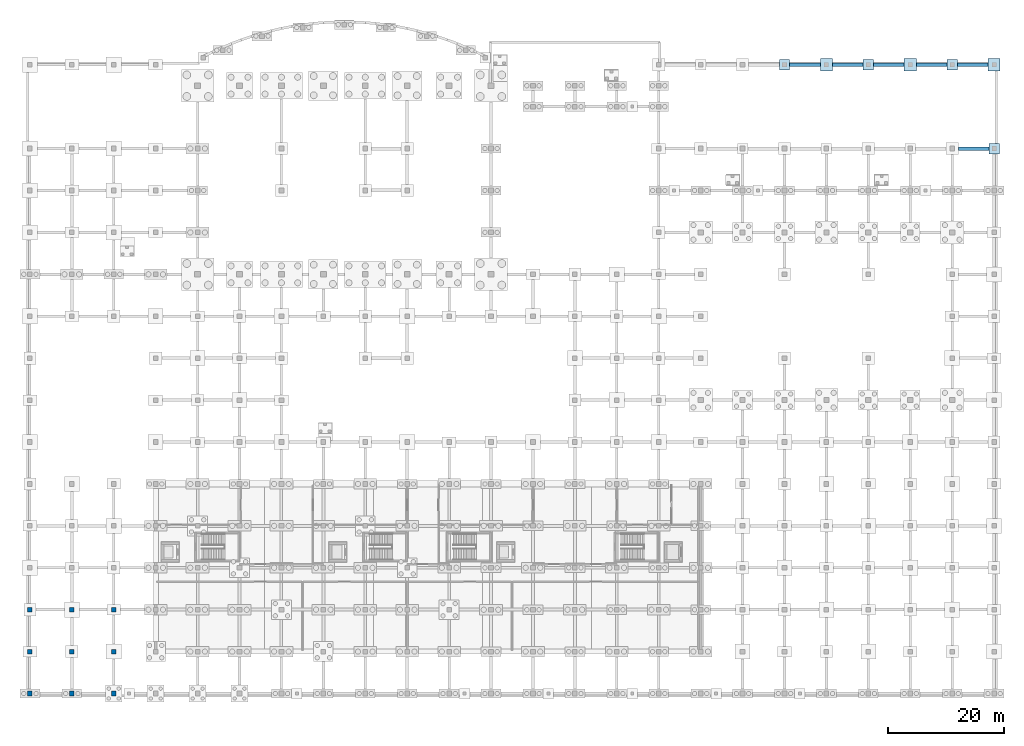
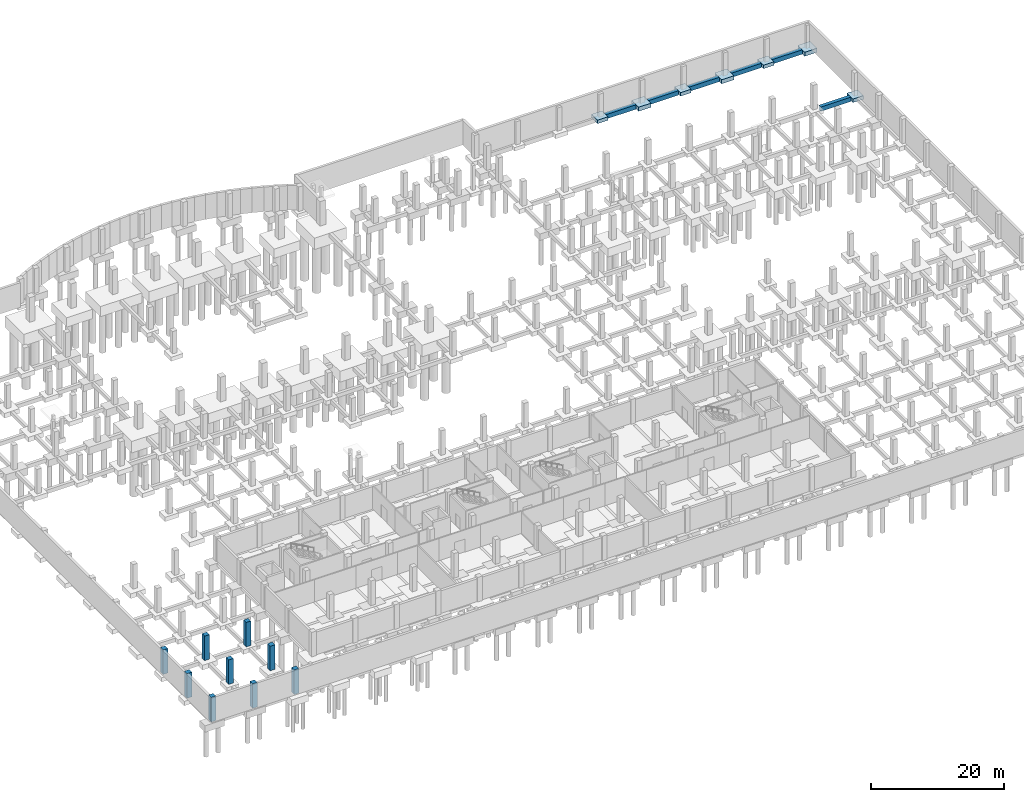
# One storey, part 14 of 22: 13 footings, 9 columns.
"""IFC4 building model written with IfcOpenShell, lengths in metres."""

import ifcopenshell
import ifcopenshell.guid

model = None  # the IFC model being written
_history = None  # IfcOwnerHistory: only IFC2X3 demands one
_inside = {}  # id of a spatial element -> (the spatial element, [elements in it])
_under = {}  # id of a project, library or spatial element -> (it, [spatial elements below it])
_declared = {}  # id of a project -> (the project, [libraries it declares])
_typed = {}  # id of a type object -> (the type object, [elements of that type])
_made_of = {}  # id of a material, layer set ... -> (it, [elements and type objects made of it])


def new_model(schema):
    """Start an empty IFC model of exactly this schema.

    Asked for "IFC4X3", IfcOpenShell would pick the latest addendum, in which some entities
    have other attributes; the version numbers below select the first issue.
    IFC2X3 requires an IfcOwnerHistory on every rooted entity: one is made here for all.
    """
    global model, _history
    if schema == "IFC4X3":
        model = ifcopenshell.file(schema_version=(4, 3, 0, 0))
    else:
        model = ifcopenshell.file(schema=schema)
    _inside.clear()
    _under.clear()
    _declared.clear()
    _typed.clear()
    _made_of.clear()
    _history = None
    if model.schema == "IFC2X3":
        org = make("IfcOrganization", Name="unknown")
        user = make(
            "IfcPersonAndOrganization",
            ThePerson=make("IfcPerson", FamilyName="unknown"),
            TheOrganization=org,
        )
        app = make(
            "IfcApplication",
            ApplicationDeveloper=org,
            Version="unknown",
            ApplicationFullName="unknown",
            ApplicationIdentifier="unknown",
        )
        _history = make(
            "IfcOwnerHistory",
            OwningUser=user,
            OwningApplication=app,
            ChangeAction="ADDED",
            CreationDate=0,
        )
    return model


def make(cls, **values):
    """One entity of the class cls with the attributes given. An attribute that is None is left unset."""
    return model.create_entity(
        cls, **{name: value for name, value in values.items() if value is not None}
    )


def rooted(cls, **values):
    """An entity with a GlobalId (a new one), such as an element, a storey or a relation."""
    return make(cls, GlobalId=ifcopenshell.guid.new(), OwnerHistory=_history, **values)


def si_unit(unit_type, name, prefix=None):
    """IfcSIUnit, for example si_unit("LENGTHUNIT", "METRE", prefix="MILLI")."""
    return make("IfcSIUnit", UnitType=unit_type, Prefix=prefix, Name=name)


def assignment(units):
    """IfcUnitAssignment: the units of a project."""
    return None if units is None else make("IfcUnitAssignment", Units=units)


def point(xyz):
    """IfcCartesianPoint."""
    return None if xyz is None else make("IfcCartesianPoint", Coordinates=xyz)


def direction(xyz):
    """IfcDirection."""
    return None if xyz is None else make("IfcDirection", DirectionRatios=xyz)


def frame(location, z_axis=None, x_axis=None):
    """IfcAxis2Placement3D, a coordinate frame: its origin and axes. An axis left out is left unset."""
    return make(
        "IfcAxis2Placement3D",
        Location=point(location),
        Axis=direction(z_axis),
        RefDirection=direction(x_axis),
    )


def frame_2d(location, x_axis=None):
    """IfcAxis2Placement2D, a coordinate frame in the plane: its origin and x axis."""
    return make(
        "IfcAxis2Placement2D", Location=point(location), RefDirection=direction(x_axis)
    )


def origin():
    """The frame at (0, 0, 0) with its axes left unset."""
    return frame((0.0, 0.0, 0.0))


def origin_2d():
    """The frame at (0, 0) in the plane with its x axis left unset."""
    return frame_2d((0.0, 0.0))


def place(relative_to, where):
    """IfcLocalPlacement: puts the frame where relative to a parent placement (None: the world)."""
    return make(
        "IfcLocalPlacement", PlacementRelTo=relative_to, RelativePlacement=where
    )


def context(
    kind, dimensions, precision=None, world=None, true_north=None, identifier=None
):
    """IfcGeometricRepresentationContext, for example the 3D "Model" context."""
    return make(
        "IfcGeometricRepresentationContext",
        ContextIdentifier=identifier,
        ContextType=kind,
        CoordinateSpaceDimension=dimensions,
        Precision=precision,
        WorldCoordinateSystem=world,
        TrueNorth=true_north,
    )


def subcontext(parent, identifier, kind, view, scale=None):
    """IfcGeometricRepresentationSubContext, for example "Body" below "Model"."""
    return make(
        "IfcGeometricRepresentationSubContext",
        ContextIdentifier=identifier,
        ContextType=kind,
        ParentContext=parent,
        TargetScale=scale,
        TargetView=view,
    )


def project(units=None, contexts=None):
    """IfcProject with its units and contexts."""
    return rooted(
        "IfcProject",
        Name="project",
        RepresentationContexts=contexts,
        UnitsInContext=assignment(units),
    )


def spatial(cls, under=None, at=None, **own):
    """A site, building, storey or space (cls), placed at a placement, below another one or the project."""
    s = rooted(cls, ObjectPlacement=at, **own)
    if under is not None:
        _under.setdefault(under.id(), (under, []))[1].append(s)
    return s


def polyline(points):
    """IfcPolyline through the points."""
    return make("IfcPolyline", Points=[point(p) for p in points])


def profile(cls, at=None, kind="AREA", **sizes):
    """A parametric profile (cls). Its sizes go by their IFC names, for example OverallWidth=200.0."""
    return make(cls, ProfileType=kind, Position=at, **sizes)


def rectangle(**sizes):
    """IfcRectangleProfileDef."""
    return profile("IfcRectangleProfileDef", **sizes)


def outline(outer, holes=None, kind="AREA"):
    """IfcArbitraryClosedProfileDef: a profile drawn as a closed curve; with holes, ...WithVoids."""
    if holes is None:
        return make("IfcArbitraryClosedProfileDef", ProfileType=kind, OuterCurve=outer)
    return make(
        "IfcArbitraryProfileDefWithVoids",
        ProfileType=kind,
        OuterCurve=outer,
        InnerCurves=holes,
    )


def extrude(swept, where, along, depth):
    """IfcExtrudedAreaSolid: the profile swept, set in the frame where, extruded along a direction by depth."""
    return make(
        "IfcExtrudedAreaSolid",
        SweptArea=swept,
        Position=where,
        ExtrudedDirection=direction(along),
        Depth=depth,
    )


def shape(context_of_items, identifier, shape_type, items):
    """IfcShapeRepresentation: the items that make up one representation, for example the "Body"."""
    return make(
        "IfcShapeRepresentation",
        ContextOfItems=context_of_items,
        RepresentationIdentifier=identifier,
        RepresentationType=shape_type,
        Items=items,
    )


def material(Name=None, Category=None):
    """IfcMaterial."""
    return make("IfcMaterial", Name=Name, Category=Category)


def material_profile(
    of_material, cross_section, Name=None, Category=None, Priority=None
):
    """IfcMaterialProfile: a cross section and its material."""
    return make(
        "IfcMaterialProfile",
        Name=Name,
        Material=of_material,
        Profile=cross_section,
        Priority=Priority,
        Category=Category,
    )


def profile_set(profiles, Name=None, composite=None):
    """IfcMaterialProfileSet."""
    return make(
        "IfcMaterialProfileSet",
        Name=Name,
        MaterialProfiles=profiles,
        CompositeProfile=composite,
    )


def made_of(thing, what):
    """Note that an element or type object is made of a material, layer set ...; save() writes the relation."""
    if what is not None:
        _made_of.setdefault(what.id(), (what, []))[1].append(thing)
    return thing


def type_object(cls, material=None, **own):
    """A type object (cls), such as IfcWallType, which elements share."""
    return made_of(rooted(cls, **own), material)


def element(
    cls,
    number,
    at=None,
    inside=None,
    cuts=None,
    type_object=None,
    material=None,
    context=None,
    identifier="Body",
    shape_type=None,
    held_by="IfcProductDefinitionShape",
    body=None,
    shapes=None,
    **own,
):
    """One element of the class cls, such as IfcWall. Its Tag is "e" and its number.

    at: its placement. inside: the storey or other place that contains it. cuts: it is an
    opening in that element (IfcRelVoidsElement). A single representation is given by context,
    identifier, shape_type and body (its items); several are given by shapes. held_by: the class
    of the entity that holds the representations. save() writes the other relations.
    """
    e = rooted(cls, Tag="e%d" % number, ObjectPlacement=at, **own)
    if body is not None:
        shapes = [shape(context, identifier, shape_type, body)]
    if shapes is not None:
        e.Representation = make(held_by, Representations=shapes)
    if inside is not None:
        _inside.setdefault(inside.id(), (inside, []))[1].append(e)
    if cuts is not None:
        rooted(
            "IfcRelVoidsElement", RelatingBuildingElement=cuts, RelatedOpeningElement=e
        )
    if type_object is not None:
        _typed.setdefault(type_object.id(), (type_object, []))[1].append(e)
    return made_of(e, material)


def aggregate(whole, parts):
    """IfcRelAggregates: a whole, such as a stair, and the parts it consists of."""
    return rooted("IfcRelAggregates", RelatingObject=whole, RelatedObjects=parts)


def save(model, path):
    """Write the relations noted so far, then the file.

    IfcRelAggregates (storeys below a building ...), IfcRelContainedInSpatialStructure (elements
    in a storey), IfcRelDefinesByType, IfcRelAssociatesMaterial and IfcRelDeclares: one each for
    every whole, place, type object, material and project.
    """
    for whole, parts in _under.values():
        aggregate(whole, parts)
    for where, things in _inside.values():
        rooted(
            "IfcRelContainedInSpatialStructure",
            RelatedElements=things,
            RelatingStructure=where,
        )
    for kind, things in _typed.values():
        rooted("IfcRelDefinesByType", RelatedObjects=things, RelatingType=kind)
    for what, things in _made_of.values():
        rooted("IfcRelAssociatesMaterial", RelatedObjects=things, RelatingMaterial=what)
    for by, libraries in _declared.values():
        rooted("IfcRelDeclares", RelatingContext=by, RelatedDefinitions=libraries)
    model.write(path)


model = new_model("IFC4")

# Units and contexts
model_context = context("Model", 3, precision=1e-05, world=origin(), true_north=direction((0.0, 1.0)))
body_context = subcontext(model_context, "Body", "Model", "MODEL_VIEW")
ifc_project = project(units=[si_unit("LENGTHUNIT", "METRE"), si_unit("AREAUNIT", "SQUARE_METRE"), si_unit("VOLUMEUNIT", "CUBIC_METRE"), si_unit("PLANEANGLEUNIT", "RADIAN"), si_unit("MASSUNIT", "GRAM", prefix="KILO")], contexts=[model_context])

# Site, building, storey
site_placement = place(None, origin())
site = spatial("IfcSite", under=ifc_project, at=site_placement, CompositionType="ELEMENT")
building_placement = place(site_placement, origin())
building = spatial("IfcBuilding", under=site, at=building_placement, Name="Sardonyx Promenade Sports Hall", CompositionType="ELEMENT")
storey_placement = place(building_placement, frame((0.0, 0.0, -4.5)))
storey = spatial("IfcBuildingStorey", under=building, at=storey_placement, Name="B1", CompositionType="ELEMENT", Elevation=-4.5)

# Footings
ifc_material_1 = material(Name="Concrete C40/50", Category="concrete")
footing_type_1 = type_object("IfcFootingType", Name="Ftg_Beam_600x800", PredefinedType="FOOTING_BEAM", material=ifc_material_1)
footing_1_placement = place(storey_placement, frame((0.0, 0.0, -0.800048828125)))
element("IfcFooting", 1, at=footing_1_placement, inside=storey, type_object=footing_type_1, Name="Ground tie beam GB02 #205", PredefinedType="FOOTING_BEAM", context=body_context, shape_type="SweptSolid", body=[
    extrude(outline(polyline([(159.449951171875, 93.300048828125), (164.699951171875, 93.300048828125), (164.699951171875, 93.89990234375), (159.449951171875, 93.89990234375), (159.449951171875, 93.300048828125)])), origin(), (0.0, 0.0, 1.0), 0.800048828125),
])
footing_2_placement = place(storey_placement, frame((0.0, 0.0, -0.800048828125)))
element("IfcFooting", 2, at=footing_2_placement, inside=storey, type_object=footing_type_1, Name="Ground tie beam GB02 #215", PredefinedType="FOOTING_BEAM", context=body_context, shape_type="SweptSolid", body=[
    extrude(outline(polyline([(130.5, 107.699951171875), (135.75, 107.699951171875), (135.75, 108.300048828125), (130.5, 108.300048828125), (130.5, 107.699951171875)])), origin(), (0.0, 0.0, 1.0), 0.800048828125),
])
footing_3_placement = place(storey_placement, frame((0.0, 0.0, -0.800048828125)))
element("IfcFooting", 3, at=footing_3_placement, inside=storey, type_object=footing_type_1, Name="Ground tie beam GB02 #216", PredefinedType="FOOTING_BEAM", context=body_context, shape_type="SweptSolid", body=[
    extrude(outline(polyline([(137.85009765625, 107.699951171875), (143.10009765625, 107.699951171875), (143.10009765625, 108.300048828125), (137.85009765625, 108.300048828125), (137.85009765625, 107.699951171875)])), origin(), (0.0, 0.0, 1.0), 0.800048828125),
])
footing_4_placement = place(storey_placement, frame((0.0, 0.0, -0.800048828125)))
element("IfcFooting", 4, at=footing_4_placement, inside=storey, type_object=footing_type_1, Name="Ground tie beam GB02 #217", PredefinedType="FOOTING_BEAM", context=body_context, shape_type="SweptSolid", body=[
    extrude(outline(polyline([(144.89990234375, 107.699951171875), (150.14990234375, 107.699951171875), (150.14990234375, 108.300048828125), (144.89990234375, 108.300048828125), (144.89990234375, 107.699951171875)])), origin(), (0.0, 0.0, 1.0), 0.800048828125),
])
footing_5_placement = place(storey_placement, frame((0.0, 0.0, -0.800048828125)))
element("IfcFooting", 5, at=footing_5_placement, inside=storey, type_object=footing_type_1, Name="Ground tie beam GB02 #218", PredefinedType="FOOTING_BEAM", context=body_context, shape_type="SweptSolid", body=[
    extrude(outline(polyline([(152.25, 107.699951171875), (157.5, 107.699951171875), (157.5, 108.300048828125), (152.25, 108.300048828125), (152.25, 107.699951171875)])), origin(), (0.0, 0.0, 1.0), 0.800048828125),
])
footing_6_placement = place(storey_placement, frame((0.0, 0.0, -0.800048828125)))
element("IfcFooting", 6, at=footing_6_placement, inside=storey, type_object=footing_type_1, Name="Ground tie beam GB02 #219", PredefinedType="FOOTING_BEAM", context=body_context, shape_type="SweptSolid", body=[
    extrude(outline(polyline([(159.300048828125, 107.699951171875), (164.550048828125, 107.699951171875), (164.550048828125, 108.300048828125), (159.300048828125, 108.300048828125), (159.300048828125, 107.699951171875)])), origin(), (0.0, 0.0, 1.0), 0.800048828125),
])
ifc_material_2 = material(Name="Concrete C40/50", Category="concrete")
footing_type_2 = type_object("IfcFootingType", Name="Ftg_Pad_1800", PredefinedType="PAD_FOOTING", material=ifc_material_2)
for number, where, z_axis, x_axis, name in (
    (7, (129.60009765625, 108.0, -0.64990234375), (0.0, 0.0, 1.0), (1.0, 0.0, 0.0), "Pad footing PF01 #7"),
    (8, (144.0, 108.0, -0.64990234375), (0.0, 0.0, 1.0), (1.0, 0.0, 0.0), "Pad footing PF01 #11"),
    (9, (158.39990234375, 108.0, -0.64990234375), (0.0, 0.0, 1.0), (1.0, 0.0, 0.0), "Pad footing PF01 #15"),
    (10, (165.60009765625, 93.60009765625, -0.64990234375), (0.0, 0.0, 1.0), (1.0, 0.0, 0.0), "Pad footing PF01 #16"),
):
    element("IfcFooting", number, at=place(storey_placement, frame(where, z_axis=z_axis, x_axis=x_axis)), inside=storey, type_object=footing_type_2, Name=name, PredefinedType="PAD_FOOTING", context=body_context, shape_type="SweptSolid", body=[
        extrude(rectangle(XDim=1.800048828125, YDim=1.800048828125, at=origin_2d()), origin(), (0.0, 0.0, 1.0), 0.64990234375),
    ])
ifc_material_3 = material(Name="Concrete C40/50", Category="concrete")
footing_type_3 = type_object("IfcFootingType", Name="Ftg_Pad_2100", PredefinedType="PAD_FOOTING", material=ifc_material_3)
for number, where, z_axis, x_axis, name in (
    (11, (136.800048828125, 108.0, -0.75), (0.0, 0.0, 1.0), (1.0, 0.0, 0.0), "Pad footing PF02 #9"),
    (12, (151.199951171875, 108.0, -0.75), (0.0, 0.0, 1.0), (1.0, 0.0, 0.0), "Pad footing PF02 #13"),
    (13, (165.60009765625, 108.0, -0.75), (0.0, 0.0, 1.0), (1.0, 0.0, 0.0), "Pad footing PF02 #17"),
):
    element("IfcFooting", number, at=place(storey_placement, frame(where, z_axis=z_axis, x_axis=x_axis)), inside=storey, type_object=footing_type_3, Name=name, PredefinedType="PAD_FOOTING", context=body_context, shape_type="SweptSolid", body=[
        extrude(rectangle(XDim=2.10009765625, YDim=2.10009765625, at=origin_2d()), origin(), (0.0, 0.0, 1.0), 0.75),
    ])

# Columns
ifc_material_4 = material(Name="Concrete C50/60", Category="concrete")
ifc_material_profile = material_profile(ifc_material_4, rectangle(XDim=0.800048828125, YDim=0.800048828125, at=origin_2d()))
ifc_profile_set = profile_set([ifc_material_profile], Name="Concrete C50/60")
column_type = type_object("IfcColumnType", Name="Col_Int_RC800", PredefinedType="COLUMN", material=ifc_profile_set)
for number, where, z_axis, x_axis, name in (
    (14, (0.0, 0.0, 0.0), (0.0, 0.0, 1.0), (1.0, 0.0, 0.0), "Column CI01 B1 (0.0,0.0)"),
    (15, (0.0, 7.199951171875, 0.0), (0.0, 0.0, 1.0), (1.0, 0.0, 0.0), "Column CI01 B1 (0.0,7.2)"),
    (16, (0.0, 14.39990234375, 0.0), (0.0, 0.0, 1.0), (1.0, 0.0, 0.0), "Column CI01 B1 (0.0,14.4)"),
    (17, (7.199951171875, 0.0, 0.0), (0.0, 0.0, 1.0), (1.0, 0.0, 0.0), "Column CI01 B1 (7.2,0.0)"),
    (18, (7.199951171875, 7.199951171875, 0.0), (0.0, 0.0, 1.0), (1.0, 0.0, 0.0), "Column CI01 B1 (7.2,7.2)"),
    (19, (7.199951171875, 14.39990234375, 0.0), (0.0, 0.0, 1.0), (1.0, 0.0, 0.0), "Column CI01 B1 (7.2,14.4)"),
    (20, (14.39990234375, 0.0, 0.0), (0.0, 0.0, 1.0), (1.0, 0.0, 0.0), "Column CI01 B1 (14.4,0.0)"),
    (21, (14.39990234375, 7.199951171875, 0.0), (0.0, 0.0, 1.0), (1.0, 0.0, 0.0), "Column CI01 B1 (14.4,7.2)"),
    (22, (14.39990234375, 14.39990234375, 0.0), (0.0, 0.0, 1.0), (1.0, 0.0, 0.0), "Column CI01 B1 (14.4,14.4)"),
):
    element("IfcColumn", number, at=place(storey_placement, frame(where, z_axis=z_axis, x_axis=x_axis)), inside=storey, type_object=column_type, Name=name, PredefinedType="COLUMN", context=body_context, shape_type="SweptSolid", body=[
        extrude(rectangle(XDim=0.800048828125, YDim=0.800048828125, at=origin_2d()), origin(), (0.0, 0.0, 1.0), 4.5),
    ])

save(model, "model.ifc")
